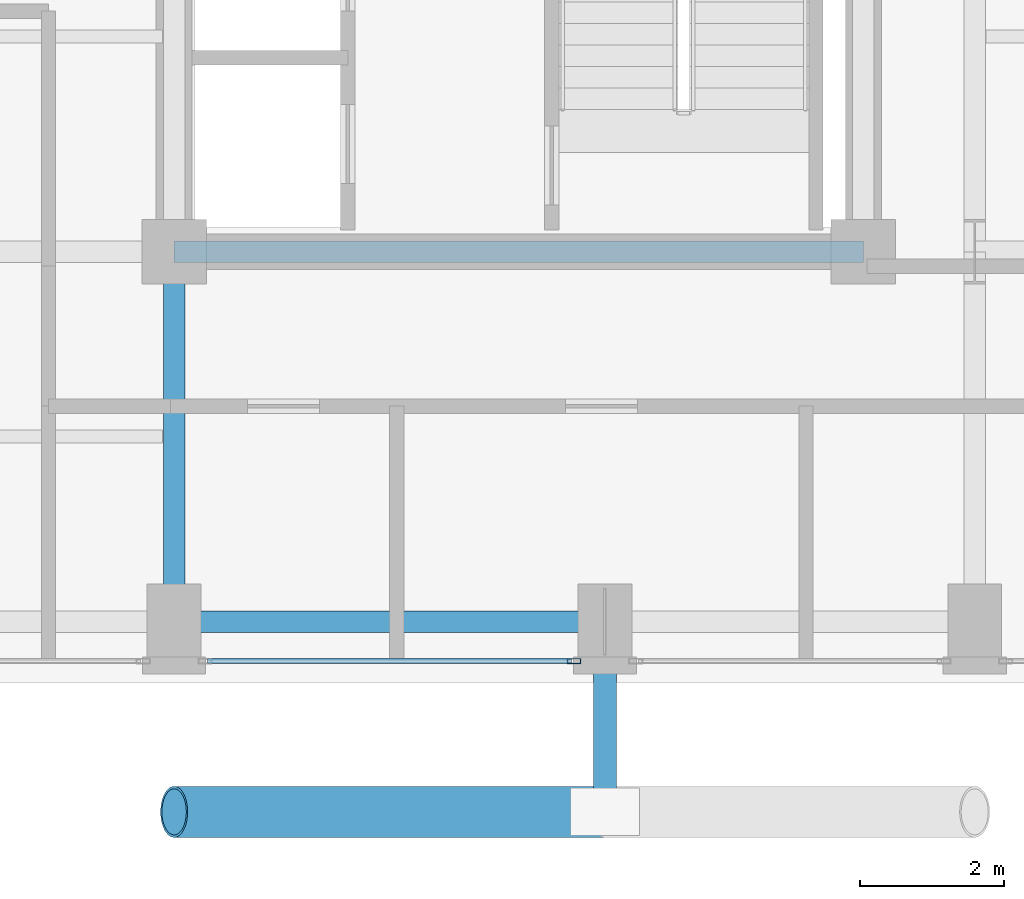
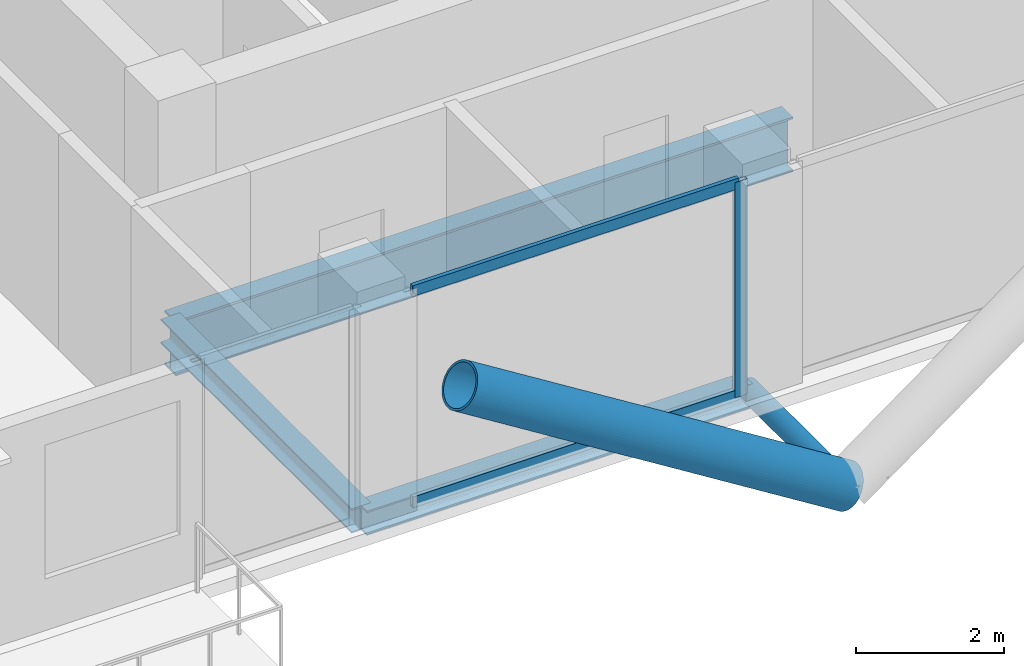
# One storey, part 5 of 22: 5 members, 3 beams, 1 element without a shape of its own.
"""IFC4 building model written with IfcOpenShell, lengths in metres."""

from ifc_helpers import new_model, si_unit, direction, frame, origin, origin_2d, place, context, subcontext, project, spatial, hollow_rectangle, hollow_circle, i_section, extrude, material, layer, layer_set, material_profile, profile_set, type_object, element, aggregate, save


model = new_model("IFC4")

# Units and contexts
model_context = context("Model", 3, precision=1e-05, world=origin(), true_north=direction((0.0, 1.0)))
body_context = subcontext(model_context, "Body", "Model", "MODEL_VIEW")
ifc_project = project(units=[si_unit("LENGTHUNIT", "METRE"), si_unit("AREAUNIT", "SQUARE_METRE"), si_unit("VOLUMEUNIT", "CUBIC_METRE"), si_unit("PLANEANGLEUNIT", "RADIAN"), si_unit("MASSUNIT", "GRAM", prefix="KILO"), si_unit("THERMODYNAMICTEMPERATUREUNIT", "KELVIN"), si_unit("POWERUNIT", "WATT")], contexts=[model_context])

# Site, building, storey
site_placement = place(None, origin())
site = spatial("IfcSite", under=ifc_project, at=site_placement, CompositionType="ELEMENT")
building_placement = place(site_placement, origin())
building = spatial("IfcBuilding", under=site, at=building_placement, Name="Svarakhadi Broadcast Tower", CompositionType="ELEMENT")
storey_placement = place(building_placement, frame((0.0, 0.0, 172.949951171875)))
storey = spatial("IfcBuildingStorey", under=building, at=storey_placement, Name="L42", CompositionType="ELEMENT", Elevation=172.949951171875)

# Curtain wall, members
ifc_material_1 = material(Name="Anodised Bronze Aluminium AA 6063-T6", Category="aluminium")
ifc_layer = layer(ifc_material_1, 0.18994140625)
ifc_layer_set = layer_set([ifc_layer], Name="Anodised Bronze Aluminium AA 6063-T6")
curtain_wall_type = type_object("IfcCurtainWallType", Name="CW_Sys_04", PredefinedType="NOTDEFINED", material=ifc_layer_set)
curtain_wall_placement = place(storey_placement, origin())
curtain_wall = element("IfcCurtainWall", 1, at=curtain_wall_placement, inside=storey, type_object=curtain_wall_type, Name="L42 South Curtain Wall 16 Bay 3", PredefinedType="NOTDEFINED")
ifc_material_profile_1 = material_profile(ifc_material_1, hollow_rectangle(XDim=0.070068359375, YDim=0.18994140625, WallThickness=0.005615234375, at=origin_2d()), Name="ALU MULLION 190x70x6")
ifc_profile_set_1 = profile_set([ifc_material_profile_1], Name="Anodised Bronze Aluminium AA 6063-T6")
member_type_1 = type_object("IfcMemberType", Name="CW_Sys_04_Mul", PredefinedType="MULLION", material=ifc_profile_set_1)
member_1_placement = place(storey_placement, frame((29.570068359375, 0.300048828125, 0.0), z_axis=(0.0, 0.0, 1.0), x_axis=(0.0, -1.0, 0.0)))
member_1 = element("IfcMember", 2, at=member_1_placement, type_object=member_type_1, Name="CW-04 mullion 1", PredefinedType="MULLION", context=body_context, shape_type="SweptSolid", body=[
    extrude(hollow_rectangle(XDim=0.070068359375, YDim=0.18994140625, WallThickness=0.005615234375, at=origin_2d()), origin(), (0.0, 0.0, 1.0), 3.5400390625),
])
ifc_material_profile_2 = material_profile(ifc_material_1, hollow_rectangle(XDim=0.06494140625, YDim=0.175048828125, WallThickness=0.0048828125, at=origin_2d()), Name="ALU TRANSOM 175x65x5")
ifc_profile_set_2 = profile_set([ifc_material_profile_2], Name="Anodised Bronze Aluminium AA 6063-T6")
member_type_2 = type_object("IfcMemberType", Name="CW_Sys_04_Trn", PredefinedType="USERDEFINED", material=ifc_profile_set_2)
member_2_placement = place(storey_placement, frame((29.534912109375, 0.300048828125, 0.032470703125), z_axis=(-1.0, 0.0, 0.0), x_axis=(0.0, -1.0, 0.0)))
member_2 = element("IfcMember", 3, at=member_2_placement, type_object=member_type_2, Name="CW-04 transom 1.1", ObjectType="TRANSOM", PredefinedType="USERDEFINED", context=body_context, shape_type="SweptSolid", body=[
    extrude(hollow_rectangle(XDim=0.06494140625, YDim=0.175048828125, WallThickness=0.0048828125, at=origin_2d()), origin(), (0.0, 0.0, 1.0), 5.06982421875),
])
member_3_placement = place(storey_placement, frame((29.534912109375, 0.300048828125, 3.507568359375), z_axis=(-1.0, 0.0, 0.0), x_axis=(0.0, -1.0, 0.0)))
member_3 = element("IfcMember", 4, at=member_3_placement, type_object=member_type_2, Name="CW-04 transom 1.2", ObjectType="TRANSOM", PredefinedType="USERDEFINED", context=body_context, shape_type="SweptSolid", body=[
    extrude(hollow_rectangle(XDim=0.06494140625, YDim=0.175048828125, WallThickness=0.0048828125, at=origin_2d()), origin(), (0.0, 0.0, 1.0), 5.06982421875),
])
aggregate(curtain_wall, [member_1, member_2, member_3])

# Members
ifc_material_2 = material(Name="Steel S460ML (IS 2062 E450BR)", Category="steel")
ifc_material_profile_3 = material_profile(ifc_material_2, hollow_circle(Radius=0.35546875, WallThickness=0.034912109375, at=origin_2d()), Name="CHS 711x35")
ifc_profile_set_3 = profile_set([ifc_material_profile_3], Name="Steel S460ML (IS 2062 E450BR)")
member_type_3 = type_object("IfcMemberType", Name="Exo_Brace_CHS711", PredefinedType="BRACE", material=ifc_profile_set_3)
member_4_placement = place(storey_placement, frame((30.0, -1.800048828125, -0.371826171875), z_axis=(-0.847998304005, 0.0, 0.529998940003), x_axis=(0.0, -1.0, 0.0)))
element("IfcMember", 5, at=member_4_placement, inside=storey, type_object=member_type_3, Name="L42 Exposed Bronze Exoskeleton Diagonal S01", PredefinedType="BRACE", context=body_context, shape_type="SweptSolid", body=[
    extrude(hollow_circle(Radius=0.35546875, WallThickness=0.034912109375, at=origin_2d()), origin(), (0.0, 0.0, 1.0), 7.075439453125),
])
ifc_material_profile_4 = material_profile(ifc_material_2, hollow_circle(Radius=0.161865234375, WallThickness=0.01611328125, at=origin_2d()), Name="CHS 323.9x16")
ifc_profile_set_4 = profile_set([ifc_material_profile_4], Name="Steel S460ML (IS 2062 E450BR)")
member_type_4 = type_object("IfcMemberType", Name="Exo_Radial_Strut_Z2", PredefinedType="STRUT", material=ifc_profile_set_4)
member_5_placement = place(storey_placement, frame((30.0, -1.800048828125, -0.371826171875), z_axis=(0.0, 1.0, 0.0), x_axis=(-1.0, 0.0, 0.0)))
element("IfcMember", 6, at=member_5_placement, inside=storey, type_object=member_type_4, Name="L42 Exoskeleton Radial Tie Strut S03", PredefinedType="STRUT", context=body_context, shape_type="SweptSolid", body=[
    extrude(hollow_circle(Radius=0.161865234375, WallThickness=0.01611328125, at=origin_2d()), origin(), (0.0, 0.0, 1.0), 2.650146484375),
])

# Beams
ifc_material_3 = material(Name="Steel S355J2 (IS 2062 E350C)", Category="steel")
ifc_material_profile_5 = material_profile(ifc_material_3, i_section(OverallWidth=0.300048828125, OverallDepth=0.39990234375, WebThickness=0.013427734375, FlangeThickness=0.02392578125, FilletRadius=0.027099609375, at=origin_2d()), Name="WPB 400x300x155")
ifc_profile_set_5 = profile_set([ifc_material_profile_5], Name="Steel S355J2 (IS 2062 E350C)")
beam_type_1 = type_object("IfcBeamType", Name="Girder_WPB400", PredefinedType="USERDEFINED", material=ifc_profile_set_5)
beam_1_placement = place(storey_placement, frame((24.0, 0.85009765625, -0.409912109375), z_axis=(1.0, 0.0, 0.0), x_axis=(0.0, 1.0, 0.0)))
element("IfcBeam", 7, at=beam_1_placement, inside=storey, type_object=beam_type_1, Name="L42 Primary E-W Girder G007", ObjectType="GIRDER", PredefinedType="USERDEFINED", context=body_context, shape_type="SweptSolid", body=[
    extrude(i_section(OverallWidth=0.300048828125, OverallDepth=0.39990234375, WebThickness=0.013427734375, FlangeThickness=0.02392578125, FilletRadius=0.027099609375, at=origin_2d()), origin(), (0.0, 0.0, 1.0), 6.0),
])
beam_2_placement = place(storey_placement, frame((24.0, 0.85009765625, -0.409912109375), z_axis=(0.0, 1.0, 0.0), x_axis=(-1.0, 0.0, 0.0)))
element("IfcBeam", 8, at=beam_2_placement, inside=storey, type_object=beam_type_1, Name="L42 Primary N-S Girder G051", ObjectType="GIRDER", PredefinedType="USERDEFINED", context=body_context, shape_type="SweptSolid", body=[
    extrude(i_section(OverallWidth=0.300048828125, OverallDepth=0.39990234375, WebThickness=0.013427734375, FlangeThickness=0.02392578125, FilletRadius=0.027099609375, at=origin_2d()), origin(), (0.0, 0.0, 1.0), 5.14990234375),
])
ifc_material_profile_6 = material_profile(ifc_material_2, i_section(OverallWidth=0.300048828125, OverallDepth=0.89990234375, WebThickness=0.0185546875, FlangeThickness=0.034912109375, FilletRadius=0.030029296875, at=origin_2d()), Name="WPB 900x300x291")
ifc_profile_set_6 = profile_set([ifc_material_profile_6], Name="Steel S460ML (IS 2062 E450BR)")
beam_type_2 = type_object("IfcBeamType", Name="Girder_WPB900", PredefinedType="USERDEFINED", material=ifc_profile_set_6)
beam_3_placement = place(storey_placement, frame((24.0, 6.0, -0.659912109375), z_axis=(1.0, 0.0, 0.0), x_axis=(0.0, 1.0, 0.0)))
element("IfcBeam", 9, at=beam_3_placement, inside=storey, type_object=beam_type_2, Name="L42 Primary E-W Girder G013", ObjectType="GIRDER", PredefinedType="USERDEFINED", context=body_context, shape_type="SweptSolid", body=[
    extrude(i_section(OverallWidth=0.300048828125, OverallDepth=0.89990234375, WebThickness=0.0185546875, FlangeThickness=0.034912109375, FilletRadius=0.030029296875, at=origin_2d()), origin(), (0.0, 0.0, 1.0), 9.60009765625),
])

save(model, "model.ifc")
